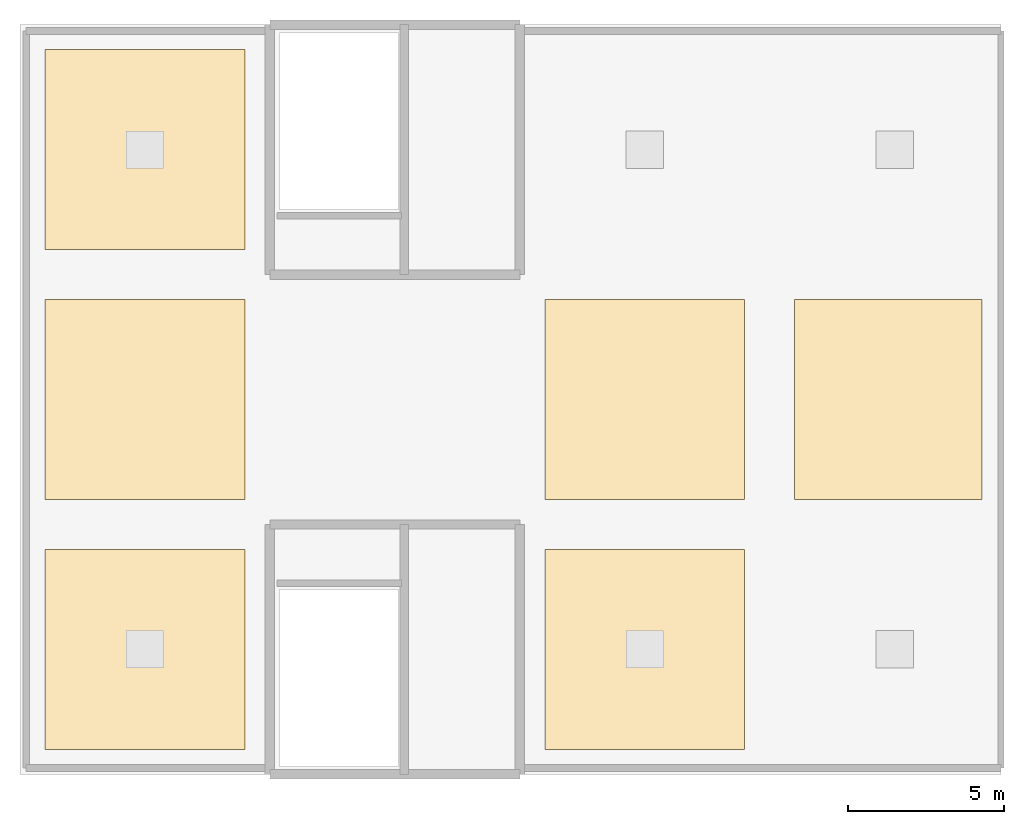
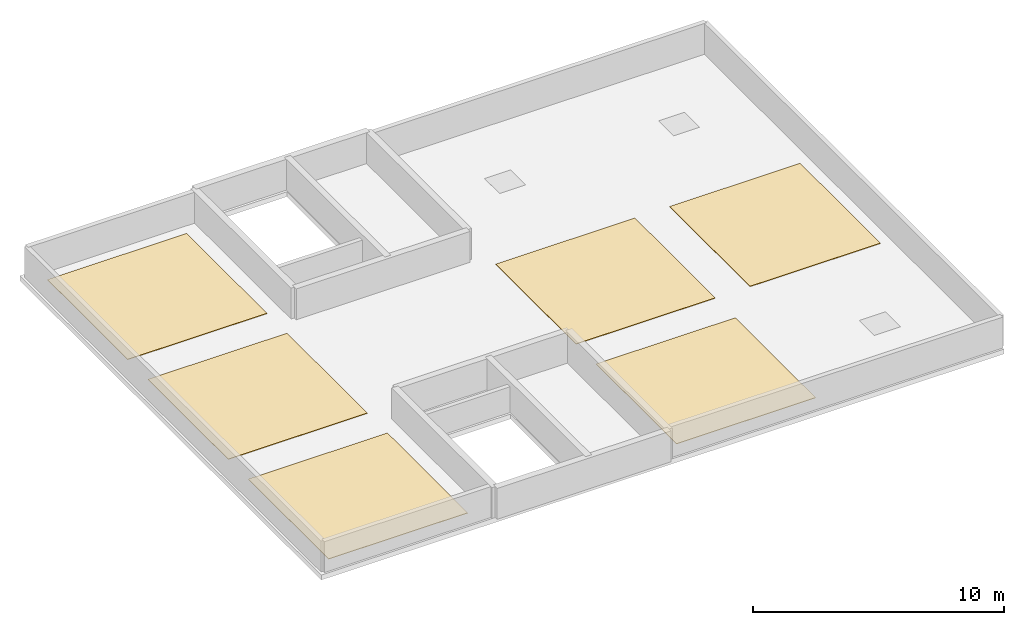
# One storey, part 2 of 2: 6 coverings, 1 element without a shape of its own.
"""IFC4 building model written with IfcOpenShell, lengths in metres."""

from ifc_helpers import new_model, si_unit, direction, frame, origin, place, context, subcontext, project, spatial, polyline, outline, extrude, material, layer, layer_set, type_object, element, aggregate, save


model = new_model("IFC4")

# Units and contexts
model_context = context("Model", 3, precision=1e-05, world=origin(), true_north=direction((0.0, 1.0)))
body_context = subcontext(model_context, "Body", "Model", "MODEL_VIEW")
ifc_project = project(units=[si_unit("LENGTHUNIT", "METRE"), si_unit("AREAUNIT", "SQUARE_METRE"), si_unit("VOLUMEUNIT", "CUBIC_METRE"), si_unit("PLANEANGLEUNIT", "RADIAN"), si_unit("MASSUNIT", "GRAM", prefix="KILO")], contexts=[model_context])

# Site, building, storey
site_placement = place(None, origin())
site = spatial("IfcSite", under=ifc_project, at=site_placement, CompositionType="ELEMENT")
building_placement = place(site_placement, origin())
building = spatial("IfcBuilding", under=site, at=building_placement, Name="Canggui Botanical Conservatory", CompositionType="ELEMENT")
storey_placement = place(building_placement, frame((0.0, 0.0, 69.60009765625)))
storey = spatial("IfcBuildingStorey", under=building, at=storey_placement, Name="ROOF", CompositionType="ELEMENT", Elevation=69.60009765625)

# Roof, coverings
ifc_material_1 = material(Name="Concrete C35", Category="concrete")
ifc_layer_1 = layer(ifc_material_1, 0.239990234375, Name="Concrete C35", Category="concrete")
ifc_layer_set_1 = layer_set([ifc_layer_1], Name="Concrete C35")
roof_type = type_object("IfcRoofType", Name="ROOF-FLAT", PredefinedType="FLAT_ROOF", material=ifc_layer_set_1)
roof_placement = place(storey_placement, origin())
roof = element("IfcRoof", 1, at=roof_placement, inside=storey, type_object=roof_type, Name="Research Tower Main Roof", PredefinedType="FLAT_ROOF")
ifc_material_2 = material(Name="TPO Waterproofing Membrane")
ifc_layer_2 = layer(ifc_material_2, 0.02490234375, Name="TPO Waterproofing Membrane")
ifc_layer_set_2 = layer_set([ifc_layer_2], Name="TPO Waterproofing Membrane")
covering_type = type_object("IfcCoveringType", Name="COV-ROOF-25", PredefinedType="ROOFING", material=ifc_layer_set_2)
covering_1_placement = place(storey_placement, origin())
covering_1 = element("IfcCovering", 2, at=covering_1_placement, type_object=covering_type, Name="Tower Roof TPO Waterproofing Membrane RFG-01", PredefinedType="ROOFING", context=body_context, shape_type="SweptSolid", body=[
    extrude(outline(polyline([(146.800048828125, 42.800048828125), (153.199951171875, 42.800048828125), (153.199951171875, 49.199951171875), (146.800048828125, 49.199951171875), (146.800048828125, 42.800048828125)])), origin(), (0.0, 0.0, 1.0), 0.02490234375),
])
covering_2_placement = place(storey_placement, origin())
covering_2 = element("IfcCovering", 3, at=covering_2_placement, type_object=covering_type, Name="Tower Roof TPO Waterproofing Membrane RFG-02", PredefinedType="ROOFING", context=body_context, shape_type="SweptSolid", body=[
    extrude(outline(polyline([(162.800048828125, 42.800048828125), (169.199951171875, 42.800048828125), (169.199951171875, 49.199951171875), (162.800048828125, 49.199951171875), (162.800048828125, 42.800048828125)])), origin(), (0.0, 0.0, 1.0), 0.02490234375),
])
covering_3_placement = place(storey_placement, origin())
covering_3 = element("IfcCovering", 4, at=covering_3_placement, type_object=covering_type, Name="Tower Roof TPO Waterproofing Membrane RFG-03", PredefinedType="ROOFING", context=body_context, shape_type="SweptSolid", body=[
    extrude(outline(polyline([(146.800048828125, 50.800048828125), (153.199951171875, 50.800048828125), (153.199951171875, 57.199951171875), (146.800048828125, 57.199951171875), (146.800048828125, 50.800048828125)])), origin(), (0.0, 0.0, 1.0), 0.02490234375),
])
covering_4_placement = place(storey_placement, origin())
covering_4 = element("IfcCovering", 5, at=covering_4_placement, type_object=covering_type, Name="Tower Roof TPO Waterproofing Membrane RFG-04", PredefinedType="ROOFING", context=body_context, shape_type="SweptSolid", body=[
    extrude(outline(polyline([(162.800048828125, 50.800048828125), (169.199951171875, 50.800048828125), (169.199951171875, 57.199951171875), (162.800048828125, 57.199951171875), (162.800048828125, 50.800048828125)])), origin(), (0.0, 0.0, 1.0), 0.02490234375),
])
covering_5_placement = place(storey_placement, origin())
covering_5 = element("IfcCovering", 6, at=covering_5_placement, type_object=covering_type, Name="Tower Roof TPO Waterproofing Membrane RFG-05", PredefinedType="ROOFING", context=body_context, shape_type="SweptSolid", body=[
    extrude(outline(polyline([(170.800048828125, 50.800048828125), (176.800048828125, 50.800048828125), (176.800048828125, 57.199951171875), (170.800048828125, 57.199951171875), (170.800048828125, 50.800048828125)])), origin(), (0.0, 0.0, 1.0), 0.02490234375),
])
covering_6_placement = place(storey_placement, origin())
covering_6 = element("IfcCovering", 7, at=covering_6_placement, type_object=covering_type, Name="Tower Roof TPO Waterproofing Membrane RFG-06", PredefinedType="ROOFING", context=body_context, shape_type="SweptSolid", body=[
    extrude(outline(polyline([(146.800048828125, 58.800048828125), (153.199951171875, 58.800048828125), (153.199951171875, 65.199951171875), (146.800048828125, 65.199951171875), (146.800048828125, 58.800048828125)])), origin(), (0.0, 0.0, 1.0), 0.02490234375),
])
aggregate(roof, [covering_1, covering_2, covering_3, covering_4, covering_5, covering_6])

save(model, "model.ifc")
